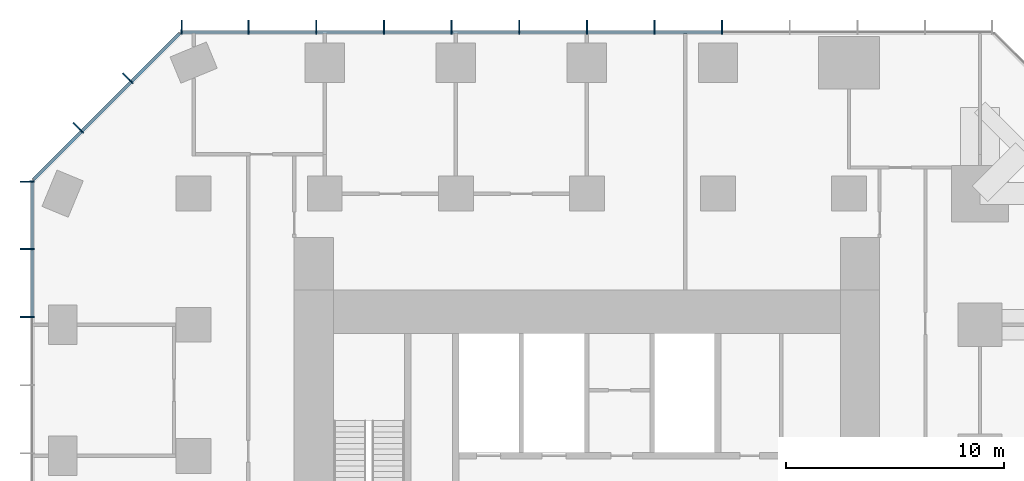
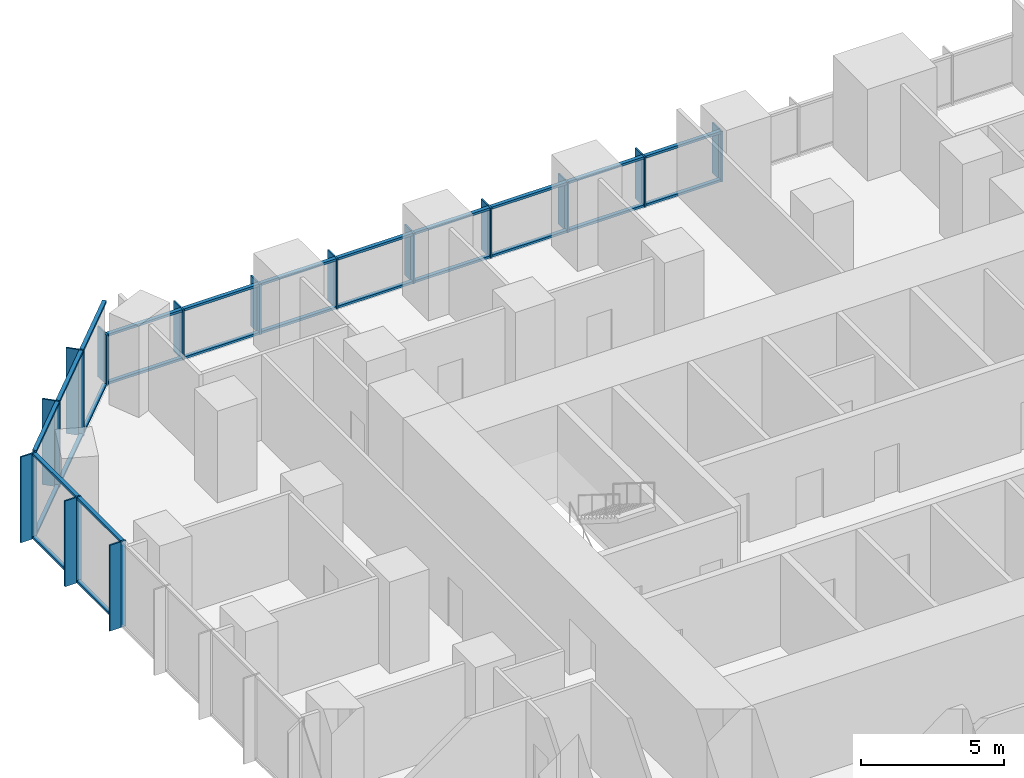
# One storey, part 6 of 12: 54 members, 3 elements without a shape of their own.
"""IFC4 building model written with IfcOpenShell, lengths in metres."""

import ifcopenshell
import ifcopenshell.guid

model = None  # the IFC model being written
_history = None  # IfcOwnerHistory: only IFC2X3 demands one
_inside = {}  # id of a spatial element -> (the spatial element, [elements in it])
_under = {}  # id of a project, library or spatial element -> (it, [spatial elements below it])
_declared = {}  # id of a project -> (the project, [libraries it declares])
_typed = {}  # id of a type object -> (the type object, [elements of that type])
_made_of = {}  # id of a material, layer set ... -> (it, [elements and type objects made of it])


def new_model(schema):
    """Start an empty IFC model of exactly this schema.

    Asked for "IFC4X3", IfcOpenShell would pick the latest addendum, in which some entities
    have other attributes; the version numbers below select the first issue.
    IFC2X3 requires an IfcOwnerHistory on every rooted entity: one is made here for all.
    """
    global model, _history
    if schema == "IFC4X3":
        model = ifcopenshell.file(schema_version=(4, 3, 0, 0))
    else:
        model = ifcopenshell.file(schema=schema)
    _inside.clear()
    _under.clear()
    _declared.clear()
    _typed.clear()
    _made_of.clear()
    _history = None
    if model.schema == "IFC2X3":
        org = make("IfcOrganization", Name="unknown")
        user = make(
            "IfcPersonAndOrganization",
            ThePerson=make("IfcPerson", FamilyName="unknown"),
            TheOrganization=org,
        )
        app = make(
            "IfcApplication",
            ApplicationDeveloper=org,
            Version="unknown",
            ApplicationFullName="unknown",
            ApplicationIdentifier="unknown",
        )
        _history = make(
            "IfcOwnerHistory",
            OwningUser=user,
            OwningApplication=app,
            ChangeAction="ADDED",
            CreationDate=0,
        )
    return model


def make(cls, **values):
    """One entity of the class cls with the attributes given. An attribute that is None is left unset."""
    return model.create_entity(
        cls, **{name: value for name, value in values.items() if value is not None}
    )


def rooted(cls, **values):
    """An entity with a GlobalId (a new one), such as an element, a storey or a relation."""
    return make(cls, GlobalId=ifcopenshell.guid.new(), OwnerHistory=_history, **values)


def si_unit(unit_type, name, prefix=None):
    """IfcSIUnit, for example si_unit("LENGTHUNIT", "METRE", prefix="MILLI")."""
    return make("IfcSIUnit", UnitType=unit_type, Prefix=prefix, Name=name)


def assignment(units):
    """IfcUnitAssignment: the units of a project."""
    return None if units is None else make("IfcUnitAssignment", Units=units)


def point(xyz):
    """IfcCartesianPoint."""
    return None if xyz is None else make("IfcCartesianPoint", Coordinates=xyz)


def direction(xyz):
    """IfcDirection."""
    return None if xyz is None else make("IfcDirection", DirectionRatios=xyz)


def frame(location, z_axis=None, x_axis=None):
    """IfcAxis2Placement3D, a coordinate frame: its origin and axes. An axis left out is left unset."""
    return make(
        "IfcAxis2Placement3D",
        Location=point(location),
        Axis=direction(z_axis),
        RefDirection=direction(x_axis),
    )


def frame_2d(location, x_axis=None):
    """IfcAxis2Placement2D, a coordinate frame in the plane: its origin and x axis."""
    return make(
        "IfcAxis2Placement2D", Location=point(location), RefDirection=direction(x_axis)
    )


def origin():
    """The frame at (0, 0, 0) with its axes left unset."""
    return frame((0.0, 0.0, 0.0))


def origin_2d():
    """The frame at (0, 0) in the plane with its x axis left unset."""
    return frame_2d((0.0, 0.0))


def place(relative_to, where):
    """IfcLocalPlacement: puts the frame where relative to a parent placement (None: the world)."""
    return make(
        "IfcLocalPlacement", PlacementRelTo=relative_to, RelativePlacement=where
    )


def context(
    kind, dimensions, precision=None, world=None, true_north=None, identifier=None
):
    """IfcGeometricRepresentationContext, for example the 3D "Model" context."""
    return make(
        "IfcGeometricRepresentationContext",
        ContextIdentifier=identifier,
        ContextType=kind,
        CoordinateSpaceDimension=dimensions,
        Precision=precision,
        WorldCoordinateSystem=world,
        TrueNorth=true_north,
    )


def subcontext(parent, identifier, kind, view, scale=None):
    """IfcGeometricRepresentationSubContext, for example "Body" below "Model"."""
    return make(
        "IfcGeometricRepresentationSubContext",
        ContextIdentifier=identifier,
        ContextType=kind,
        ParentContext=parent,
        TargetScale=scale,
        TargetView=view,
    )


def project(units=None, contexts=None):
    """IfcProject with its units and contexts."""
    return rooted(
        "IfcProject",
        Name="project",
        RepresentationContexts=contexts,
        UnitsInContext=assignment(units),
    )


def spatial(cls, under=None, at=None, **own):
    """A site, building, storey or space (cls), placed at a placement, below another one or the project."""
    s = rooted(cls, ObjectPlacement=at, **own)
    if under is not None:
        _under.setdefault(under.id(), (under, []))[1].append(s)
    return s


def profile(cls, at=None, kind="AREA", **sizes):
    """A parametric profile (cls). Its sizes go by their IFC names, for example OverallWidth=200.0."""
    return make(cls, ProfileType=kind, Position=at, **sizes)


def rectangle(**sizes):
    """IfcRectangleProfileDef."""
    return profile("IfcRectangleProfileDef", **sizes)


def extrude(swept, where, along, depth):
    """IfcExtrudedAreaSolid: the profile swept, set in the frame where, extruded along a direction by depth."""
    return make(
        "IfcExtrudedAreaSolid",
        SweptArea=swept,
        Position=where,
        ExtrudedDirection=direction(along),
        Depth=depth,
    )


def shape(context_of_items, identifier, shape_type, items):
    """IfcShapeRepresentation: the items that make up one representation, for example the "Body"."""
    return make(
        "IfcShapeRepresentation",
        ContextOfItems=context_of_items,
        RepresentationIdentifier=identifier,
        RepresentationType=shape_type,
        Items=items,
    )


def material(Name=None, Category=None):
    """IfcMaterial."""
    return make("IfcMaterial", Name=Name, Category=Category)


def layer(
    of_material, thickness, ventilated=None, Name=None, Category=None, Priority=None
):
    """IfcMaterialLayer: one layer of a wall or slab, of a material (None: an air gap)."""
    return make(
        "IfcMaterialLayer",
        Material=of_material,
        LayerThickness=thickness,
        IsVentilated=ventilated,
        Name=Name,
        Category=Category,
        Priority=Priority,
    )


def layer_set(layers, Name=None):
    """IfcMaterialLayerSet."""
    return make("IfcMaterialLayerSet", MaterialLayers=layers, LayerSetName=Name)


def material_profile(
    of_material, cross_section, Name=None, Category=None, Priority=None
):
    """IfcMaterialProfile: a cross section and its material."""
    return make(
        "IfcMaterialProfile",
        Name=Name,
        Material=of_material,
        Profile=cross_section,
        Priority=Priority,
        Category=Category,
    )


def profile_set(profiles, Name=None, composite=None):
    """IfcMaterialProfileSet."""
    return make(
        "IfcMaterialProfileSet",
        Name=Name,
        MaterialProfiles=profiles,
        CompositeProfile=composite,
    )


def made_of(thing, what):
    """Note that an element or type object is made of a material, layer set ...; save() writes the relation."""
    if what is not None:
        _made_of.setdefault(what.id(), (what, []))[1].append(thing)
    return thing


def type_object(cls, material=None, **own):
    """A type object (cls), such as IfcWallType, which elements share."""
    return made_of(rooted(cls, **own), material)


def element(
    cls,
    number,
    at=None,
    inside=None,
    cuts=None,
    type_object=None,
    material=None,
    context=None,
    identifier="Body",
    shape_type=None,
    held_by="IfcProductDefinitionShape",
    body=None,
    shapes=None,
    **own,
):
    """One element of the class cls, such as IfcWall. Its Tag is "e" and its number.

    at: its placement. inside: the storey or other place that contains it. cuts: it is an
    opening in that element (IfcRelVoidsElement). A single representation is given by context,
    identifier, shape_type and body (its items); several are given by shapes. held_by: the class
    of the entity that holds the representations. save() writes the other relations.
    """
    e = rooted(cls, Tag="e%d" % number, ObjectPlacement=at, **own)
    if body is not None:
        shapes = [shape(context, identifier, shape_type, body)]
    if shapes is not None:
        e.Representation = make(held_by, Representations=shapes)
    if inside is not None:
        _inside.setdefault(inside.id(), (inside, []))[1].append(e)
    if cuts is not None:
        rooted(
            "IfcRelVoidsElement", RelatingBuildingElement=cuts, RelatedOpeningElement=e
        )
    if type_object is not None:
        _typed.setdefault(type_object.id(), (type_object, []))[1].append(e)
    return made_of(e, material)


def aggregate(whole, parts):
    """IfcRelAggregates: a whole, such as a stair, and the parts it consists of."""
    return rooted("IfcRelAggregates", RelatingObject=whole, RelatedObjects=parts)


def save(model, path):
    """Write the relations noted so far, then the file.

    IfcRelAggregates (storeys below a building ...), IfcRelContainedInSpatialStructure (elements
    in a storey), IfcRelDefinesByType, IfcRelAssociatesMaterial and IfcRelDeclares: one each for
    every whole, place, type object, material and project.
    """
    for whole, parts in _under.values():
        aggregate(whole, parts)
    for where, things in _inside.values():
        rooted(
            "IfcRelContainedInSpatialStructure",
            RelatedElements=things,
            RelatingStructure=where,
        )
    for kind, things in _typed.values():
        rooted("IfcRelDefinesByType", RelatedObjects=things, RelatingType=kind)
    for what, things in _made_of.values():
        rooted("IfcRelAssociatesMaterial", RelatedObjects=things, RelatingMaterial=what)
    for by, libraries in _declared.values():
        rooted("IfcRelDeclares", RelatingContext=by, RelatedDefinitions=libraries)
    model.write(path)


model = new_model("IFC4")

# Units and contexts
model_context = context("Model", 3, precision=1e-05, world=origin(), true_north=direction((0.0, 1.0)))
body_context = subcontext(model_context, "Body", "Model", "MODEL_VIEW")
ifc_project = project(units=[si_unit("LENGTHUNIT", "METRE"), si_unit("AREAUNIT", "SQUARE_METRE"), si_unit("VOLUMEUNIT", "CUBIC_METRE"), si_unit("PLANEANGLEUNIT", "RADIAN"), si_unit("MASSUNIT", "GRAM", prefix="KILO")], contexts=[model_context])

# Site, building, storey
site_placement = place(None, origin())
site = spatial("IfcSite", under=ifc_project, at=site_placement, CompositionType="ELEMENT")
building_placement = place(site_placement, origin())
building = spatial("IfcBuilding", under=site, at=building_placement, Name="Highveld Stack Headquarters", CompositionType="ELEMENT")
storey_placement = place(building_placement, frame((0.0, 0.0, 160.10009765625)))
storey = spatial("IfcBuildingStorey", under=building, at=storey_placement, Name="L39", CompositionType="ELEMENT", Elevation=160.10009765625)

# Curtain wall, members
ifc_material_1 = material(Name="Aluminium bronze anodised", Category="aluminium")
ifc_layer_1 = layer(ifc_material_1, 0.199951171875)
ifc_layer_set_1 = layer_set([ifc_layer_1], Name="Aluminium bronze anodised")
curtain_wall_type_1 = type_object("IfcCurtainWallType", Name="CW1 TOWER UNITISED CURTAIN WALL", PredefinedType="NOTDEFINED", material=ifc_layer_set_1)
curtain_wall_1_placement = place(storey_placement, origin())
curtain_wall_1 = element("IfcCurtainWall", 1, at=curtain_wall_1_placement, inside=storey, type_object=curtain_wall_type_1, Name="Curtain wall CW1 L39 N", PredefinedType="NOTDEFINED")
ifc_material_2 = material(Name="Aluminium bronze anodised", Category="aluminium")
ifc_material_profile_1 = material_profile(ifc_material_2, rectangle(XDim=0.449951171875, YDim=0.06005859375, at=origin_2d()), Name="FIN 450x60")
ifc_profile_set_1 = profile_set([ifc_material_profile_1], Name="Aluminium bronze anodised")
member_type_1 = type_object("IfcMemberType", Name="CW1 BRONZE FIN 450x60", PredefinedType="USERDEFINED", material=ifc_profile_set_1)
member_1_placement = place(storey_placement, frame((12.193359375, 25.72509765625, 0.0), z_axis=(0.0, 0.0, 1.0), x_axis=(0.0, -1.0, 0.0)))
member_1 = element("IfcMember", 2, at=member_1_placement, type_object=member_type_1, Name="CW1 fin L39 5", ObjectType="FIN", PredefinedType="USERDEFINED", context=body_context, shape_type="SweptSolid", body=[
    extrude(rectangle(XDim=0.449951171875, YDim=0.06005859375, at=origin_2d()), origin(), (0.0, 0.0, 1.0), 2.14990234375),
])
member_2_placement = place(storey_placement, frame((9.0966796875, 25.72509765625, 0.0), z_axis=(0.0, 0.0, 1.0), x_axis=(0.0, -1.0, 0.0)))
member_2 = element("IfcMember", 3, at=member_2_placement, type_object=member_type_1, Name="CW1 fin L39 6", ObjectType="FIN", PredefinedType="USERDEFINED", context=body_context, shape_type="SweptSolid", body=[
    extrude(rectangle(XDim=0.449951171875, YDim=0.06005859375, at=origin_2d()), origin(), (0.0, 0.0, 1.0), 2.14990234375),
])
member_3_placement = place(storey_placement, frame((6.0, 25.72509765625, 0.0), z_axis=(0.0, 0.0, 1.0), x_axis=(0.0, -1.0, 0.0)))
member_3 = element("IfcMember", 4, at=member_3_placement, type_object=member_type_1, Name="CW1 fin L39 7", ObjectType="FIN", PredefinedType="USERDEFINED", context=body_context, shape_type="SweptSolid", body=[
    extrude(rectangle(XDim=0.449951171875, YDim=0.06005859375, at=origin_2d()), origin(), (0.0, 0.0, 1.0), 2.14990234375),
])
member_4_placement = place(storey_placement, frame((2.9033203125, 25.72509765625, 0.0), z_axis=(0.0, 0.0, 1.0), x_axis=(0.0, -1.0, 0.0)))
member_4 = element("IfcMember", 5, at=member_4_placement, type_object=member_type_1, Name="CW1 fin L39 8", ObjectType="FIN", PredefinedType="USERDEFINED", context=body_context, shape_type="SweptSolid", body=[
    extrude(rectangle(XDim=0.449951171875, YDim=0.06005859375, at=origin_2d()), origin(), (0.0, 0.0, 1.0), 2.14990234375),
])
member_5_placement = place(storey_placement, frame((-0.193359375, 25.72509765625, 0.0), z_axis=(0.0, 0.0, 1.0), x_axis=(0.0, -1.0, 0.0)))
member_5 = element("IfcMember", 6, at=member_5_placement, type_object=member_type_1, Name="CW1 fin L39 9", ObjectType="FIN", PredefinedType="USERDEFINED", context=body_context, shape_type="SweptSolid", body=[
    extrude(rectangle(XDim=0.449951171875, YDim=0.06005859375, at=origin_2d()), origin(), (0.0, 0.0, 1.0), 2.14990234375),
])
member_6_placement = place(storey_placement, frame((-3.2900390625, 25.72509765625, 0.0), z_axis=(0.0, 0.0, 1.0), x_axis=(0.0, -1.0, 0.0)))
member_6 = element("IfcMember", 7, at=member_6_placement, type_object=member_type_1, Name="CW1 fin L39 10", ObjectType="FIN", PredefinedType="USERDEFINED", context=body_context, shape_type="SweptSolid", body=[
    extrude(rectangle(XDim=0.449951171875, YDim=0.06005859375, at=origin_2d()), origin(), (0.0, 0.0, 1.0), 2.14990234375),
])
member_7_placement = place(storey_placement, frame((-6.38671875, 25.72509765625, 0.0), z_axis=(0.0, 0.0, 1.0), x_axis=(0.0, -1.0, 0.0)))
member_7 = element("IfcMember", 8, at=member_7_placement, type_object=member_type_1, Name="CW1 fin L39 11", ObjectType="FIN", PredefinedType="USERDEFINED", context=body_context, shape_type="SweptSolid", body=[
    extrude(rectangle(XDim=0.449951171875, YDim=0.06005859375, at=origin_2d()), origin(), (0.0, 0.0, 1.0), 2.14990234375),
])
member_8_placement = place(storey_placement, frame((-9.4833984375, 25.72509765625, 0.0), z_axis=(0.0, 0.0, 1.0), x_axis=(0.0, -1.0, 0.0)))
member_8 = element("IfcMember", 9, at=member_8_placement, type_object=member_type_1, Name="CW1 fin L39 12", ObjectType="FIN", PredefinedType="USERDEFINED", context=body_context, shape_type="SweptSolid", body=[
    extrude(rectangle(XDim=0.449951171875, YDim=0.06005859375, at=origin_2d()), origin(), (0.0, 0.0, 1.0), 2.14990234375),
])
member_9_placement = place(storey_placement, frame((-12.54736328125, 25.72509765625, 0.0), z_axis=(0.0, 0.0, 1.0), x_axis=(0.0, -1.0, 0.0)))
member_9 = element("IfcMember", 10, at=member_9_placement, type_object=member_type_1, Name="CW1 fin L39 13", ObjectType="FIN", PredefinedType="USERDEFINED", context=body_context, shape_type="SweptSolid", body=[
    extrude(rectangle(XDim=0.449951171875, YDim=0.06005859375, at=origin_2d()), origin(), (0.0, 0.0, 1.0), 2.14990234375),
])

curtain_wall_2_placement = place(storey_placement, origin())
curtain_wall_2 = element("IfcCurtainWall", 11, at=curtain_wall_2_placement, inside=storey, type_object=curtain_wall_type_1, Name="Curtain wall CW1 L39 W", PredefinedType="NOTDEFINED")
member_10_placement = place(storey_placement, frame((-19.72509765625, 18.54736328125, 0.0), z_axis=(0.0, 0.0, 1.0), x_axis=(1.0, 0.0, 0.0)))
member_10 = element("IfcMember", 12, at=member_10_placement, type_object=member_type_1, Name="CW1 fin L39 1", ObjectType="FIN", PredefinedType="USERDEFINED", context=body_context, shape_type="SweptSolid", body=[
    extrude(rectangle(XDim=0.449951171875, YDim=0.06005859375, at=origin_2d()), origin(), (0.0, 0.0, 1.0), 3.64990234375),
])
member_11_placement = place(storey_placement, frame((-19.72509765625, 15.4638671875, 0.0), z_axis=(0.0, 0.0, 1.0), x_axis=(1.0, 0.0, 0.0)))
member_11 = element("IfcMember", 13, at=member_11_placement, type_object=member_type_1, Name="CW1 fin L39 2", ObjectType="FIN", PredefinedType="USERDEFINED", context=body_context, shape_type="SweptSolid", body=[
    extrude(rectangle(XDim=0.449951171875, YDim=0.06005859375, at=origin_2d()), origin(), (0.0, 0.0, 1.0), 3.64990234375),
])
member_12_placement = place(storey_placement, frame((-19.72509765625, 12.347900390625, 0.0), z_axis=(0.0, 0.0, 1.0), x_axis=(1.0, 0.0, 0.0)))
member_12 = element("IfcMember", 14, at=member_12_placement, type_object=member_type_1, Name="CW1 fin L39 3", ObjectType="FIN", PredefinedType="USERDEFINED", context=body_context, shape_type="SweptSolid", body=[
    extrude(rectangle(XDim=0.449951171875, YDim=0.06005859375, at=origin_2d()), origin(), (0.0, 0.0, 1.0), 3.64990234375),
])

# Member
ifc_material_3 = material(Name="Aluminium bronze anodised", Category="aluminium")
ifc_material_profile_2 = material_profile(ifc_material_3, rectangle(XDim=0.199951171875, YDim=0.06494140625, at=origin_2d()), Name="CW1 MULLION 65x200")
ifc_profile_set_2 = profile_set([ifc_material_profile_2], Name="Aluminium bronze anodised")
member_type_2 = type_object("IfcMemberType", Name="CW1 MULLION 65x200", PredefinedType="MULLION", material=ifc_profile_set_2)
member_13_placement = place(storey_placement, frame((12.193359375, 25.39990234375, 0.0), z_axis=(0.0, 0.0, 1.0), x_axis=(0.0, -1.0, 0.0)))
member_13 = element("IfcMember", 15, at=member_13_placement, type_object=member_type_2, Name="CW1 mullion L39 5", PredefinedType="MULLION", context=body_context, shape_type="SweptSolid", body=[
    extrude(rectangle(XDim=0.199951171875, YDim=0.06494140625, at=origin_2d()), origin(), (0.0, 0.0, 1.0), 2.14990234375),
])

member_14_placement = place(storey_placement, frame((9.0966796875, 25.39990234375, 0.0), z_axis=(0.0, 0.0, 1.0), x_axis=(0.0, -1.0, 0.0)))
member_14 = element("IfcMember", 16, at=member_14_placement, type_object=member_type_2, Name="CW1 mullion L39 6", PredefinedType="MULLION", context=body_context, shape_type="SweptSolid", body=[
    extrude(rectangle(XDim=0.199951171875, YDim=0.06494140625, at=origin_2d()), origin(), (0.0, 0.0, 1.0), 2.14990234375),
])

member_15_placement = place(storey_placement, frame((6.0, 25.39990234375, 0.0), z_axis=(0.0, 0.0, 1.0), x_axis=(0.0, -1.0, 0.0)))
member_15 = element("IfcMember", 17, at=member_15_placement, type_object=member_type_2, Name="CW1 mullion L39 7", PredefinedType="MULLION", context=body_context, shape_type="SweptSolid", body=[
    extrude(rectangle(XDim=0.199951171875, YDim=0.06494140625, at=origin_2d()), origin(), (0.0, 0.0, 1.0), 2.14990234375),
])

member_16_placement = place(storey_placement, frame((2.9033203125, 25.39990234375, 0.0), z_axis=(0.0, 0.0, 1.0), x_axis=(0.0, -1.0, 0.0)))
member_16 = element("IfcMember", 18, at=member_16_placement, type_object=member_type_2, Name="CW1 mullion L39 8", PredefinedType="MULLION", context=body_context, shape_type="SweptSolid", body=[
    extrude(rectangle(XDim=0.199951171875, YDim=0.06494140625, at=origin_2d()), origin(), (0.0, 0.0, 1.0), 2.14990234375),
])

member_17_placement = place(storey_placement, frame((-0.193359375, 25.39990234375, 0.0), z_axis=(0.0, 0.0, 1.0), x_axis=(0.0, -1.0, 0.0)))
member_17 = element("IfcMember", 19, at=member_17_placement, type_object=member_type_2, Name="CW1 mullion L39 9", PredefinedType="MULLION", context=body_context, shape_type="SweptSolid", body=[
    extrude(rectangle(XDim=0.199951171875, YDim=0.06494140625, at=origin_2d()), origin(), (0.0, 0.0, 1.0), 2.14990234375),
])

member_18_placement = place(storey_placement, frame((-3.2900390625, 25.39990234375, 0.0), z_axis=(0.0, 0.0, 1.0), x_axis=(0.0, -1.0, 0.0)))
member_18 = element("IfcMember", 20, at=member_18_placement, type_object=member_type_2, Name="CW1 mullion L39 10", PredefinedType="MULLION", context=body_context, shape_type="SweptSolid", body=[
    extrude(rectangle(XDim=0.199951171875, YDim=0.06494140625, at=origin_2d()), origin(), (0.0, 0.0, 1.0), 2.14990234375),
])

member_19_placement = place(storey_placement, frame((-6.38671875, 25.39990234375, 0.0), z_axis=(0.0, 0.0, 1.0), x_axis=(0.0, -1.0, 0.0)))
member_19 = element("IfcMember", 21, at=member_19_placement, type_object=member_type_2, Name="CW1 mullion L39 11", PredefinedType="MULLION", context=body_context, shape_type="SweptSolid", body=[
    extrude(rectangle(XDim=0.199951171875, YDim=0.06494140625, at=origin_2d()), origin(), (0.0, 0.0, 1.0), 2.14990234375),
])

member_20_placement = place(storey_placement, frame((-9.4833984375, 25.39990234375, 0.0), z_axis=(0.0, 0.0, 1.0), x_axis=(0.0, -1.0, 0.0)))
member_20 = element("IfcMember", 22, at=member_20_placement, type_object=member_type_2, Name="CW1 mullion L39 12", PredefinedType="MULLION", context=body_context, shape_type="SweptSolid", body=[
    extrude(rectangle(XDim=0.199951171875, YDim=0.06494140625, at=origin_2d()), origin(), (0.0, 0.0, 1.0), 2.14990234375),
])

member_21_placement = place(storey_placement, frame((-12.54736328125, 25.39990234375, 0.0), z_axis=(0.0, 0.0, 1.0), x_axis=(0.0, -1.0, 0.0)))
member_21 = element("IfcMember", 23, at=member_21_placement, type_object=member_type_2, Name="CW1 mullion L39 13", PredefinedType="MULLION", context=body_context, shape_type="SweptSolid", body=[
    extrude(rectangle(XDim=0.199951171875, YDim=0.06494140625, at=origin_2d()), origin(), (0.0, 0.0, 1.0), 2.14990234375),
])

member_22_placement = place(storey_placement, frame((-19.39990234375, 18.54736328125, 0.0), z_axis=(0.0, 0.0, 1.0), x_axis=(1.0, 0.0, 0.0)))
member_22 = element("IfcMember", 24, at=member_22_placement, type_object=member_type_2, Name="CW1 mullion L39 1", PredefinedType="MULLION", context=body_context, shape_type="SweptSolid", body=[
    extrude(rectangle(XDim=0.199951171875, YDim=0.06494140625, at=origin_2d()), origin(), (0.0, 0.0, 1.0), 3.64990234375),
])

member_23_placement = place(storey_placement, frame((-19.39990234375, 15.4638671875, 0.0), z_axis=(0.0, 0.0, 1.0), x_axis=(1.0, 0.0, 0.0)))
member_23 = element("IfcMember", 25, at=member_23_placement, type_object=member_type_2, Name="CW1 mullion L39 2", PredefinedType="MULLION", context=body_context, shape_type="SweptSolid", body=[
    extrude(rectangle(XDim=0.199951171875, YDim=0.06494140625, at=origin_2d()), origin(), (0.0, 0.0, 1.0), 3.64990234375),
])

member_24_placement = place(storey_placement, frame((-19.39990234375, 12.347900390625, 0.0), z_axis=(0.0, 0.0, 1.0), x_axis=(1.0, 0.0, 0.0)))
member_24 = element("IfcMember", 26, at=member_24_placement, type_object=member_type_2, Name="CW1 mullion L39 3", PredefinedType="MULLION", context=body_context, shape_type="SweptSolid", body=[
    extrude(rectangle(XDim=0.199951171875, YDim=0.06494140625, at=origin_2d()), origin(), (0.0, 0.0, 1.0), 3.64990234375),
])

ifc_material_4 = material(Name="Aluminium bronze anodised", Category="aluminium")
ifc_material_profile_3 = material_profile(ifc_material_4, rectangle(XDim=0.14990234375, YDim=0.10009765625, at=origin_2d()), Name="CW1 TRANSOM 150x100")
ifc_profile_set_3 = profile_set([ifc_material_profile_3], Name="Aluminium bronze anodised")
member_type_3 = type_object("IfcMemberType", Name="CW1 STACK TRANSOM 150x100", PredefinedType="USERDEFINED", material=ifc_profile_set_3)
member_25_placement = place(storey_placement, frame((12.160888671875, 25.39990234375, 0.0498046875), z_axis=(-1.0, 0.0, 0.0), x_axis=(0.0, -1.0, 0.0)))
member_25 = element("IfcMember", 27, at=member_25_placement, type_object=member_type_3, Name="CW1 transom L39 5.1", ObjectType="TRANSOM", PredefinedType="USERDEFINED", context=body_context, shape_type="SweptSolid", body=[
    extrude(rectangle(XDim=0.14990234375, YDim=0.10009765625, at=origin_2d()), origin(), (0.0, 0.0, 1.0), 3.03173828125),
])

member_26_placement = place(storey_placement, frame((12.160888671875, 25.39990234375, 2.099853515625), z_axis=(-1.0, 0.0, 0.0), x_axis=(0.0, -1.0, 0.0)))
member_26 = element("IfcMember", 28, at=member_26_placement, type_object=member_type_3, Name="CW1 transom L39 5.2", ObjectType="TRANSOM", PredefinedType="USERDEFINED", context=body_context, shape_type="SweptSolid", body=[
    extrude(rectangle(XDim=0.14990234375, YDim=0.10009765625, at=origin_2d()), origin(), (0.0, 0.0, 1.0), 3.03173828125),
])

member_27_placement = place(storey_placement, frame((9.064208984375, 25.39990234375, 0.0498046875), z_axis=(-1.0, 0.0, 0.0), x_axis=(0.0, -1.0, 0.0)))
member_27 = element("IfcMember", 29, at=member_27_placement, type_object=member_type_3, Name="CW1 transom L39 6.1", ObjectType="TRANSOM", PredefinedType="USERDEFINED", context=body_context, shape_type="SweptSolid", body=[
    extrude(rectangle(XDim=0.14990234375, YDim=0.10009765625, at=origin_2d()), origin(), (0.0, 0.0, 1.0), 3.03173828125),
])

member_28_placement = place(storey_placement, frame((9.064208984375, 25.39990234375, 2.099853515625), z_axis=(-1.0, 0.0, 0.0), x_axis=(0.0, -1.0, 0.0)))
member_28 = element("IfcMember", 30, at=member_28_placement, type_object=member_type_3, Name="CW1 transom L39 6.2", ObjectType="TRANSOM", PredefinedType="USERDEFINED", context=body_context, shape_type="SweptSolid", body=[
    extrude(rectangle(XDim=0.14990234375, YDim=0.10009765625, at=origin_2d()), origin(), (0.0, 0.0, 1.0), 3.03173828125),
])

member_29_placement = place(storey_placement, frame((5.967529296875, 25.39990234375, 0.0498046875), z_axis=(-1.0, 0.0, 0.0), x_axis=(0.0, -1.0, 0.0)))
member_29 = element("IfcMember", 31, at=member_29_placement, type_object=member_type_3, Name="CW1 transom L39 7.1", ObjectType="TRANSOM", PredefinedType="USERDEFINED", context=body_context, shape_type="SweptSolid", body=[
    extrude(rectangle(XDim=0.14990234375, YDim=0.10009765625, at=origin_2d()), origin(), (0.0, 0.0, 1.0), 3.03173828125),
])

member_30_placement = place(storey_placement, frame((5.967529296875, 25.39990234375, 2.099853515625), z_axis=(-1.0, 0.0, 0.0), x_axis=(0.0, -1.0, 0.0)))
member_30 = element("IfcMember", 32, at=member_30_placement, type_object=member_type_3, Name="CW1 transom L39 7.2", ObjectType="TRANSOM", PredefinedType="USERDEFINED", context=body_context, shape_type="SweptSolid", body=[
    extrude(rectangle(XDim=0.14990234375, YDim=0.10009765625, at=origin_2d()), origin(), (0.0, 0.0, 1.0), 3.03173828125),
])

member_31_placement = place(storey_placement, frame((2.870849609375, 25.39990234375, 0.0498046875), z_axis=(-1.0, 0.0, 0.0), x_axis=(0.0, -1.0, 0.0)))
member_31 = element("IfcMember", 33, at=member_31_placement, type_object=member_type_3, Name="CW1 transom L39 8.1", ObjectType="TRANSOM", PredefinedType="USERDEFINED", context=body_context, shape_type="SweptSolid", body=[
    extrude(rectangle(XDim=0.14990234375, YDim=0.10009765625, at=origin_2d()), origin(), (0.0, 0.0, 1.0), 3.03173828125),
])

member_32_placement = place(storey_placement, frame((2.870849609375, 25.39990234375, 2.099853515625), z_axis=(-1.0, 0.0, 0.0), x_axis=(0.0, -1.0, 0.0)))
member_32 = element("IfcMember", 34, at=member_32_placement, type_object=member_type_3, Name="CW1 transom L39 8.2", ObjectType="TRANSOM", PredefinedType="USERDEFINED", context=body_context, shape_type="SweptSolid", body=[
    extrude(rectangle(XDim=0.14990234375, YDim=0.10009765625, at=origin_2d()), origin(), (0.0, 0.0, 1.0), 3.03173828125),
])

member_33_placement = place(storey_placement, frame((-0.225830078125, 25.39990234375, 0.0498046875), z_axis=(-1.0, 0.0, 0.0), x_axis=(0.0, -1.0, 0.0)))
member_33 = element("IfcMember", 35, at=member_33_placement, type_object=member_type_3, Name="CW1 transom L39 9.1", ObjectType="TRANSOM", PredefinedType="USERDEFINED", context=body_context, shape_type="SweptSolid", body=[
    extrude(rectangle(XDim=0.14990234375, YDim=0.10009765625, at=origin_2d()), origin(), (0.0, 0.0, 1.0), 3.03173828125),
])

member_34_placement = place(storey_placement, frame((-0.225830078125, 25.39990234375, 2.099853515625), z_axis=(-1.0, 0.0, 0.0), x_axis=(0.0, -1.0, 0.0)))
member_34 = element("IfcMember", 36, at=member_34_placement, type_object=member_type_3, Name="CW1 transom L39 9.2", ObjectType="TRANSOM", PredefinedType="USERDEFINED", context=body_context, shape_type="SweptSolid", body=[
    extrude(rectangle(XDim=0.14990234375, YDim=0.10009765625, at=origin_2d()), origin(), (0.0, 0.0, 1.0), 3.03173828125),
])

member_35_placement = place(storey_placement, frame((-3.322509765625, 25.39990234375, 0.0498046875), z_axis=(-1.0, 0.0, 0.0), x_axis=(0.0, -1.0, 0.0)))
member_35 = element("IfcMember", 37, at=member_35_placement, type_object=member_type_3, Name="CW1 transom L39 10.1", ObjectType="TRANSOM", PredefinedType="USERDEFINED", context=body_context, shape_type="SweptSolid", body=[
    extrude(rectangle(XDim=0.14990234375, YDim=0.10009765625, at=origin_2d()), origin(), (0.0, 0.0, 1.0), 3.031494140625),
])

member_36_placement = place(storey_placement, frame((-3.322509765625, 25.39990234375, 2.099853515625), z_axis=(-1.0, 0.0, 0.0), x_axis=(0.0, -1.0, 0.0)))
member_36 = element("IfcMember", 38, at=member_36_placement, type_object=member_type_3, Name="CW1 transom L39 10.2", ObjectType="TRANSOM", PredefinedType="USERDEFINED", context=body_context, shape_type="SweptSolid", body=[
    extrude(rectangle(XDim=0.14990234375, YDim=0.10009765625, at=origin_2d()), origin(), (0.0, 0.0, 1.0), 3.031494140625),
])

member_37_placement = place(storey_placement, frame((-6.419189453125, 25.39990234375, 0.0498046875), z_axis=(-1.0, 0.0, 0.0), x_axis=(0.0, -1.0, 0.0)))
member_37 = element("IfcMember", 39, at=member_37_placement, type_object=member_type_3, Name="CW1 transom L39 11.1", ObjectType="TRANSOM", PredefinedType="USERDEFINED", context=body_context, shape_type="SweptSolid", body=[
    extrude(rectangle(XDim=0.14990234375, YDim=0.10009765625, at=origin_2d()), origin(), (0.0, 0.0, 1.0), 3.031494140625),
])

member_38_placement = place(storey_placement, frame((-6.419189453125, 25.39990234375, 2.099853515625), z_axis=(-1.0, 0.0, 0.0), x_axis=(0.0, -1.0, 0.0)))
member_38 = element("IfcMember", 40, at=member_38_placement, type_object=member_type_3, Name="CW1 transom L39 11.2", ObjectType="TRANSOM", PredefinedType="USERDEFINED", context=body_context, shape_type="SweptSolid", body=[
    extrude(rectangle(XDim=0.14990234375, YDim=0.10009765625, at=origin_2d()), origin(), (0.0, 0.0, 1.0), 3.031494140625),
])

member_39_placement = place(storey_placement, frame((-9.515869140625, 25.39990234375, 0.0498046875), z_axis=(-1.0, 0.0, 0.0), x_axis=(0.0, -1.0, 0.0)))
member_39 = element("IfcMember", 41, at=member_39_placement, type_object=member_type_3, Name="CW1 transom L39 12.1", ObjectType="TRANSOM", PredefinedType="USERDEFINED", context=body_context, shape_type="SweptSolid", body=[
    extrude(rectangle(XDim=0.14990234375, YDim=0.10009765625, at=origin_2d()), origin(), (0.0, 0.0, 1.0), 2.9990234375),
])

member_40_placement = place(storey_placement, frame((-9.515869140625, 25.39990234375, 2.099853515625), z_axis=(-1.0, 0.0, 0.0), x_axis=(0.0, -1.0, 0.0)))
member_40 = element("IfcMember", 42, at=member_40_placement, type_object=member_type_3, Name="CW1 transom L39 12.2", ObjectType="TRANSOM", PredefinedType="USERDEFINED", context=body_context, shape_type="SweptSolid", body=[
    extrude(rectangle(XDim=0.14990234375, YDim=0.10009765625, at=origin_2d()), origin(), (0.0, 0.0, 1.0), 2.9990234375),
])

aggregate(curtain_wall_1, [member_13, member_1, member_14, member_2, member_15, member_3, member_16, member_4, member_17, member_5, member_18, member_6, member_19, member_7, member_20, member_8, member_21, member_9, member_25, member_26, member_27, member_28, member_29, member_30, member_31, member_32, member_33, member_34, member_35, member_36, member_37, member_38, member_39, member_40])

member_41_placement = place(storey_placement, frame((-19.39990234375, 18.514892578125, 0.0498046875), z_axis=(0.0, -1.0, 0.0), x_axis=(1.0, 0.0, 0.0)))
member_41 = element("IfcMember", 43, at=member_41_placement, type_object=member_type_3, Name="CW1 transom L39 1.1", ObjectType="TRANSOM", PredefinedType="USERDEFINED", context=body_context, shape_type="SweptSolid", body=[
    extrude(rectangle(XDim=0.14990234375, YDim=0.10009765625, at=origin_2d()), origin(), (0.0, 0.0, 1.0), 3.0185546875),
])

member_42_placement = place(storey_placement, frame((-19.39990234375, 18.514892578125, 3.599853515625), z_axis=(0.0, -1.0, 0.0), x_axis=(1.0, 0.0, 0.0)))
member_42 = element("IfcMember", 44, at=member_42_placement, type_object=member_type_3, Name="CW1 transom L39 1.2", ObjectType="TRANSOM", PredefinedType="USERDEFINED", context=body_context, shape_type="SweptSolid", body=[
    extrude(rectangle(XDim=0.14990234375, YDim=0.10009765625, at=origin_2d()), origin(), (0.0, 0.0, 1.0), 3.0185546875),
])

member_43_placement = place(storey_placement, frame((-19.39990234375, 15.431396484375, 0.0498046875), z_axis=(0.0, -1.0, 0.0), x_axis=(1.0, 0.0, 0.0)))
member_43 = element("IfcMember", 45, at=member_43_placement, type_object=member_type_3, Name="CW1 transom L39 2.1", ObjectType="TRANSOM", PredefinedType="USERDEFINED", context=body_context, shape_type="SweptSolid", body=[
    extrude(rectangle(XDim=0.14990234375, YDim=0.10009765625, at=origin_2d()), origin(), (0.0, 0.0, 1.0), 3.051025390625),
])

member_44_placement = place(storey_placement, frame((-19.39990234375, 15.431396484375, 3.599853515625), z_axis=(0.0, -1.0, 0.0), x_axis=(1.0, 0.0, 0.0)))
member_44 = element("IfcMember", 46, at=member_44_placement, type_object=member_type_3, Name="CW1 transom L39 2.2", ObjectType="TRANSOM", PredefinedType="USERDEFINED", context=body_context, shape_type="SweptSolid", body=[
    extrude(rectangle(XDim=0.14990234375, YDim=0.10009765625, at=origin_2d()), origin(), (0.0, 0.0, 1.0), 3.051025390625),
])

aggregate(curtain_wall_2, [member_22, member_10, member_23, member_11, member_24, member_12, member_41, member_42, member_43, member_44])

# Curtain wall, members
ifc_material_5 = material(Name="Aluminium bronze anodised", Category="aluminium")
ifc_layer_2 = layer(ifc_material_5, 0.199951171875)
ifc_layer_set_2 = layer_set([ifc_layer_2], Name="Aluminium bronze anodised")
curtain_wall_type_2 = type_object("IfcCurtainWallType", Name="CW2 TOWER CHAMFER UNITISED CURTAIN WALL", PredefinedType="NOTDEFINED", material=ifc_layer_set_2)
curtain_wall_3_placement = place(storey_placement, origin())
curtain_wall_3 = element("IfcCurtainWall", 47, at=curtain_wall_3_placement, inside=storey, type_object=curtain_wall_type_2, Name="Curtain wall CW2 L39 NW", PredefinedType="NOTDEFINED")
ifc_material_6 = material(Name="Aluminium bronze anodised", Category="aluminium")
ifc_material_profile_4 = material_profile(ifc_material_6, rectangle(XDim=0.449951171875, YDim=0.06005859375, at=origin_2d()), Name="FIN 450x60")
ifc_profile_set_4 = profile_set([ifc_material_profile_4], Name="Aluminium bronze anodised")
member_type_4 = type_object("IfcMemberType", Name="CW2 BRONZE FIN 450x60", PredefinedType="USERDEFINED", material=ifc_profile_set_4)
member_45_placement = place(storey_placement, frame((-15.0830078125, 23.3564453125, 0.0), z_axis=(0.0, 0.0, 1.0), x_axis=(0.707106781187, -0.707106781187, 0.0)))
member_45 = element("IfcMember", 48, at=member_45_placement, type_object=member_type_4, Name="CW2 fin L39 1", ObjectType="FIN", PredefinedType="USERDEFINED", context=body_context, shape_type="SweptSolid", body=[
    extrude(rectangle(XDim=0.449951171875, YDim=0.06005859375, at=origin_2d()), origin(), (0.0, 0.0, 1.0), 3.64990234375),
])
member_46_placement = place(storey_placement, frame((-17.3564453125, 21.0830078125, 0.0), z_axis=(0.0, 0.0, 1.0), x_axis=(0.707106781187, -0.707106781187, 0.0)))
member_46 = element("IfcMember", 49, at=member_46_placement, type_object=member_type_4, Name="CW2 fin L39 2", ObjectType="FIN", PredefinedType="USERDEFINED", context=body_context, shape_type="SweptSolid", body=[
    extrude(rectangle(XDim=0.449951171875, YDim=0.06005859375, at=origin_2d()), origin(), (0.0, 0.0, 1.0), 3.64990234375),
])
ifc_material_7 = material(Name="Aluminium bronze anodised", Category="aluminium")
ifc_material_profile_5 = material_profile(ifc_material_7, rectangle(XDim=0.199951171875, YDim=0.06494140625, at=origin_2d()), Name="CW2 MULLION 65x200")
ifc_profile_set_5 = profile_set([ifc_material_profile_5], Name="Aluminium bronze anodised")
member_type_5 = type_object("IfcMemberType", Name="CW2 MULLION 65x200", PredefinedType="MULLION", material=ifc_profile_set_5)
member_47_placement = place(storey_placement, frame((-14.853271484375, 23.126708984375, 0.0), z_axis=(0.0, 0.0, 1.0), x_axis=(0.707106781187, -0.707106781187, 0.0)))
member_47 = element("IfcMember", 50, at=member_47_placement, type_object=member_type_5, Name="CW2 mullion L39 1", PredefinedType="MULLION", context=body_context, shape_type="SweptSolid", body=[
    extrude(rectangle(XDim=0.199951171875, YDim=0.06494140625, at=origin_2d()), origin(), (0.0, 0.0, 1.0), 3.64990234375),
])
member_48_placement = place(storey_placement, frame((-17.126708984375, 20.853271484375, 0.0), z_axis=(0.0, 0.0, 1.0), x_axis=(0.707106781187, -0.707106781187, 0.0)))
member_48 = element("IfcMember", 51, at=member_48_placement, type_object=member_type_5, Name="CW2 mullion L39 2", PredefinedType="MULLION", context=body_context, shape_type="SweptSolid", body=[
    extrude(rectangle(XDim=0.199951171875, YDim=0.06494140625, at=origin_2d()), origin(), (0.0, 0.0, 1.0), 3.64990234375),
])
ifc_material_8 = material(Name="Aluminium bronze anodised", Category="aluminium")
ifc_material_profile_6 = material_profile(ifc_material_8, rectangle(XDim=0.14990234375, YDim=0.10009765625, at=origin_2d()), Name="CW2 TRANSOM 150x100")
ifc_profile_set_6 = profile_set([ifc_material_profile_6], Name="Aluminium bronze anodised")
member_type_6 = type_object("IfcMemberType", Name="CW2 STACK TRANSOM 150x100", PredefinedType="USERDEFINED", material=ifc_profile_set_6)
member_49_placement = place(storey_placement, frame((-12.650634765625, 25.329345703125, 0.0498046875), z_axis=(-0.707106781187, -0.707106781187, 0.0), x_axis=(0.707106781187, -0.707106781187, 0.0)))
member_49 = element("IfcMember", 52, at=member_49_placement, type_object=member_type_6, Name="CW2 transom L39 1.1", ObjectType="TRANSOM", PredefinedType="USERDEFINED", context=body_context, shape_type="SweptSolid", body=[
    extrude(rectangle(XDim=0.14990234375, YDim=0.10009765625, at=origin_2d()), origin(), (0.0, 0.0, 1.0), 3.08251953125),
])
member_50_placement = place(storey_placement, frame((-12.650634765625, 25.329345703125, 3.599853515625), z_axis=(-0.707106781187, -0.707106781187, 0.0), x_axis=(0.707106781187, -0.707106781187, 0.0)))
member_50 = element("IfcMember", 53, at=member_50_placement, type_object=member_type_6, Name="CW2 transom L39 1.2", ObjectType="TRANSOM", PredefinedType="USERDEFINED", context=body_context, shape_type="SweptSolid", body=[
    extrude(rectangle(XDim=0.14990234375, YDim=0.10009765625, at=origin_2d()), origin(), (0.0, 0.0, 1.0), 3.08251953125),
])
member_51_placement = place(storey_placement, frame((-14.876220703125, 23.103759765625, 0.0498046875), z_axis=(-0.707106781187, -0.707106781187, 0.0), x_axis=(0.707106781187, -0.707106781187, 0.0)))
member_51 = element("IfcMember", 54, at=member_51_placement, type_object=member_type_6, Name="CW2 transom L39 2.1", ObjectType="TRANSOM", PredefinedType="USERDEFINED", context=body_context, shape_type="SweptSolid", body=[
    extrude(rectangle(XDim=0.14990234375, YDim=0.10009765625, at=origin_2d()), origin(), (0.0, 0.0, 1.0), 3.150146484375),
])
member_52_placement = place(storey_placement, frame((-14.876220703125, 23.103759765625, 3.599853515625), z_axis=(-0.707106781187, -0.707106781187, 0.0), x_axis=(0.707106781187, -0.707106781187, 0.0)))
member_52 = element("IfcMember", 55, at=member_52_placement, type_object=member_type_6, Name="CW2 transom L39 2.2", ObjectType="TRANSOM", PredefinedType="USERDEFINED", context=body_context, shape_type="SweptSolid", body=[
    extrude(rectangle(XDim=0.14990234375, YDim=0.10009765625, at=origin_2d()), origin(), (0.0, 0.0, 1.0), 3.150146484375),
])
member_53_placement = place(storey_placement, frame((-17.149658203125, 20.830322265625, 0.0498046875), z_axis=(-0.707106781187, -0.707106781187, 0.0), x_axis=(0.707106781187, -0.707106781187, 0.0)))
member_53 = element("IfcMember", 56, at=member_53_placement, type_object=member_type_6, Name="CW2 transom L39 3.1", ObjectType="TRANSOM", PredefinedType="USERDEFINED", context=body_context, shape_type="SweptSolid", body=[
    extrude(rectangle(XDim=0.14990234375, YDim=0.10009765625, at=origin_2d()), origin(), (0.0, 0.0, 1.0), 3.08251953125),
])
member_54_placement = place(storey_placement, frame((-17.149658203125, 20.830322265625, 3.599853515625), z_axis=(-0.707106781187, -0.707106781187, 0.0), x_axis=(0.707106781187, -0.707106781187, 0.0)))
member_54 = element("IfcMember", 57, at=member_54_placement, type_object=member_type_6, Name="CW2 transom L39 3.2", ObjectType="TRANSOM", PredefinedType="USERDEFINED", context=body_context, shape_type="SweptSolid", body=[
    extrude(rectangle(XDim=0.14990234375, YDim=0.10009765625, at=origin_2d()), origin(), (0.0, 0.0, 1.0), 3.08251953125),
])
aggregate(curtain_wall_3, [member_47, member_45, member_48, member_46, member_49, member_50, member_51, member_52, member_53, member_54])

save(model, "model.ifc")
